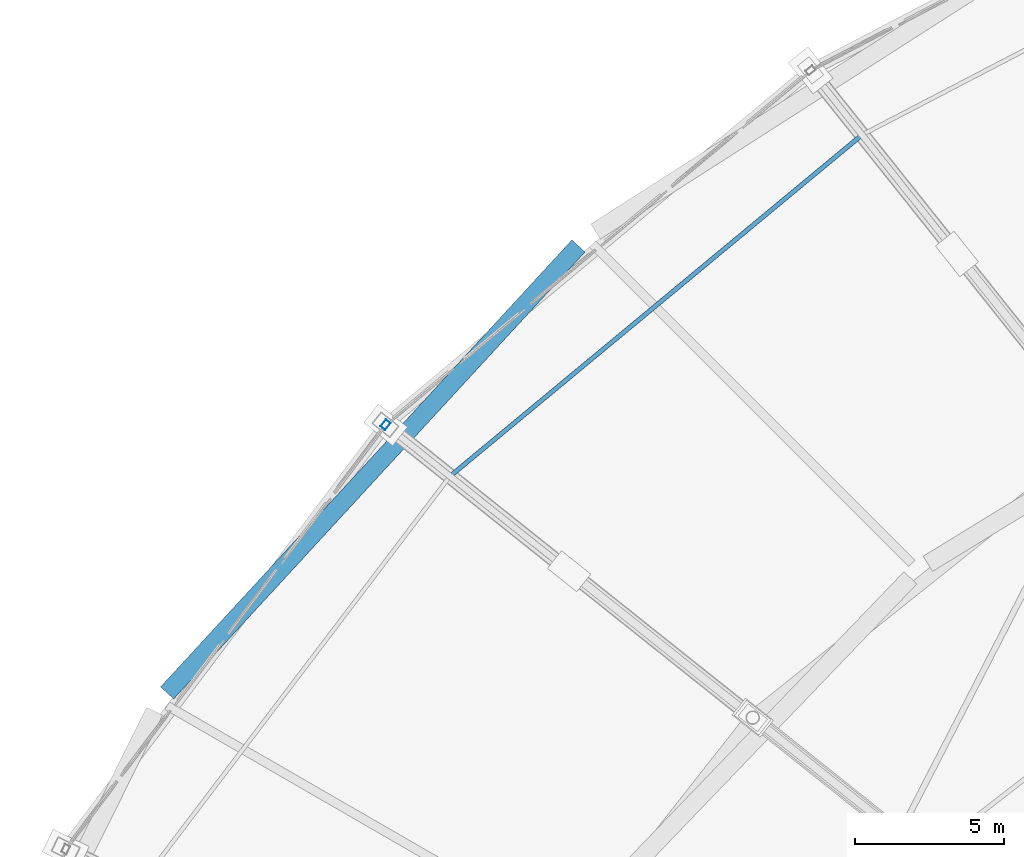
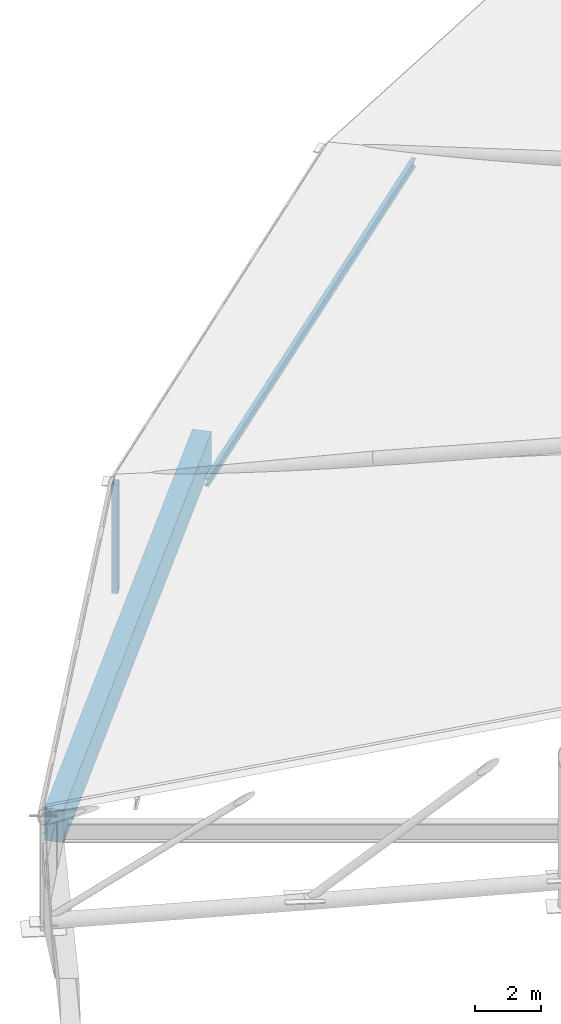
# One storey, part 39 of 108: 2 members, 1 beam.
"""IFC4 building model written with IfcOpenShell, lengths in metres."""

from ifc_helpers import new_model, si_unit, direction, frame, origin, origin_2d, place, context, subcontext, project, spatial, rectangle, hollow_rectangle, i_section, extrude, material, material_profile, profile_set, type_object, element, save


model = new_model("IFC4")

# Units and contexts
model_context = context("Model", 3, precision=1e-05, world=origin(), true_north=direction((0.0, 1.0)))
body_context = subcontext(model_context, "Body", "Model", "MODEL_VIEW")
ifc_project = project(units=[si_unit("LENGTHUNIT", "METRE"), si_unit("AREAUNIT", "SQUARE_METRE"), si_unit("VOLUMEUNIT", "CUBIC_METRE"), si_unit("PLANEANGLEUNIT", "RADIAN"), si_unit("MASSUNIT", "GRAM", prefix="KILO")], contexts=[model_context])

# Site, building, storey
site_placement = place(None, origin())
site = spatial("IfcSite", under=ifc_project, at=site_placement, CompositionType="ELEMENT")
building_placement = place(site_placement, origin())
building = spatial("IfcBuilding", under=site, at=building_placement, Name="Zevraka Park Crest Stadium", CompositionType="ELEMENT")
storey_placement = place(building_placement, frame((0.0, 0.0, 29.39990234375)))
storey = spatial("IfcBuildingStorey", under=building, at=storey_placement, Name="RF", CompositionType="ELEMENT", Elevation=29.39990234375)

# Member
ifc_material_1 = material(Name="Steel S355", Category="steel")
ifc_material_profile_1 = material_profile(ifc_material_1, i_section(OverallWidth=0.14990234375, OverallDepth=0.300048828125, WebThickness=0.007080078125, FlangeThickness=0.0107421875, at=origin_2d()), Name="IPE 300")
ifc_profile_set_1 = profile_set([ifc_material_profile_1], Name="Steel S355")
member_type_1 = type_object("IfcMemberType", Name="PR02", PredefinedType="PURLIN", material=ifc_profile_set_1)
member_1_placement = place(storey_placement, frame((57.429931640625, 148.701904296875, 4.287109375), z_axis=(-0.769999473898, -0.638044520544, 0.0), x_axis=(0.638044520544, -0.769999473898, 0.0)))
element("IfcMember", 1, at=member_1_placement, inside=storey, type_object=member_type_1, Name="Canopy Roof Purlin PR02 OUTER-11-1", PredefinedType="PURLIN", context=body_context, shape_type="SweptSolid", body=[
    extrude(i_section(OverallWidth=0.14990234375, OverallDepth=0.300048828125, WebThickness=0.007080078125, FlangeThickness=0.0107421875, at=origin_2d()), origin(), (0.0, 0.0, 1.0), 17.99853515625),
])

# Beam
ifc_material_2 = material(Name="Concrete C40/50", Category="concrete")
ifc_material_profile_2 = material_profile(ifc_material_2, rectangle(XDim=0.60009765625, YDim=1.199951171875, at=origin_2d()), Name="RC 1200x600")
ifc_profile_set_2 = profile_set([ifc_material_profile_2], Name="Concrete C40/50")
beam_type = type_object("IfcBeamType", Name="RB01", PredefinedType="BEAM", material=ifc_profile_set_2)
beam_placement = place(storey_placement, frame((47.89111328125, 144.965087890625, -0.599853515625), z_axis=(-0.677158252403, -0.735837414924, 0.0), x_axis=(0.735837414924, -0.677158252403, 0.0)))
element("IfcBeam", 2, at=beam_placement, inside=storey, type_object=beam_type, Name="Ring Beam RB01 RF-D-09", PredefinedType="BEAM", context=body_context, shape_type="SweptSolid", body=[
    extrude(rectangle(XDim=0.60009765625, YDim=1.199951171875, at=origin_2d()), origin(), (0.0, 0.0, 1.0), 20.4326171875),
])

# Member
ifc_material_3 = material(Name="Steel S355", Category="steel")
ifc_material_profile_3 = material_profile(ifc_material_3, hollow_rectangle(XDim=0.199951171875, YDim=0.300048828125, WallThickness=0.012451171875, at=origin_2d()), Name="RHS 300x200x12.5")
ifc_profile_set_3 = profile_set([ifc_material_profile_3], Name="Steel S355")
member_type_2 = type_object("IfcMemberType", Name="WB03", PredefinedType="BRACE", material=ifc_profile_set_3)
member_2_placement = place(storey_placement, frame((41.40087890625, 138.948974609375, 0.0), z_axis=(0.0, 0.0, 1.0), x_axis=(-0.781847027868, 0.623470308046, 0.0)))
element("IfcMember", 3, at=member_2_placement, inside=storey, type_object=member_type_2, Name="Roof Truss Anchor Strut WB03 T12-0", PredefinedType="BRACE", context=body_context, shape_type="SweptSolid", body=[
    extrude(hollow_rectangle(XDim=0.199951171875, YDim=0.300048828125, WallThickness=0.012451171875, at=origin_2d()), origin(), (0.0, 0.0, 1.0), 4.0),
])

save(model, "model.ifc")
